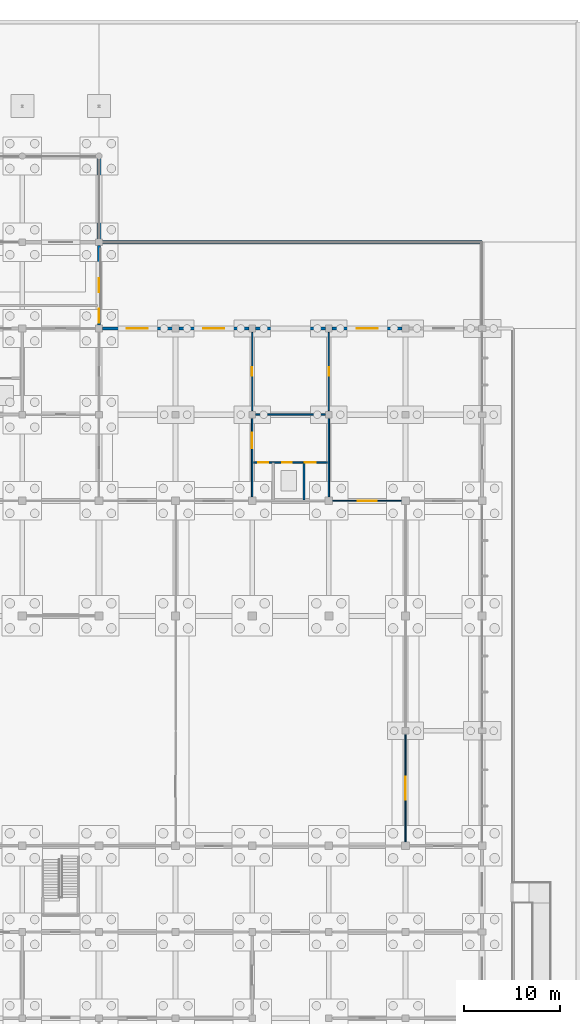
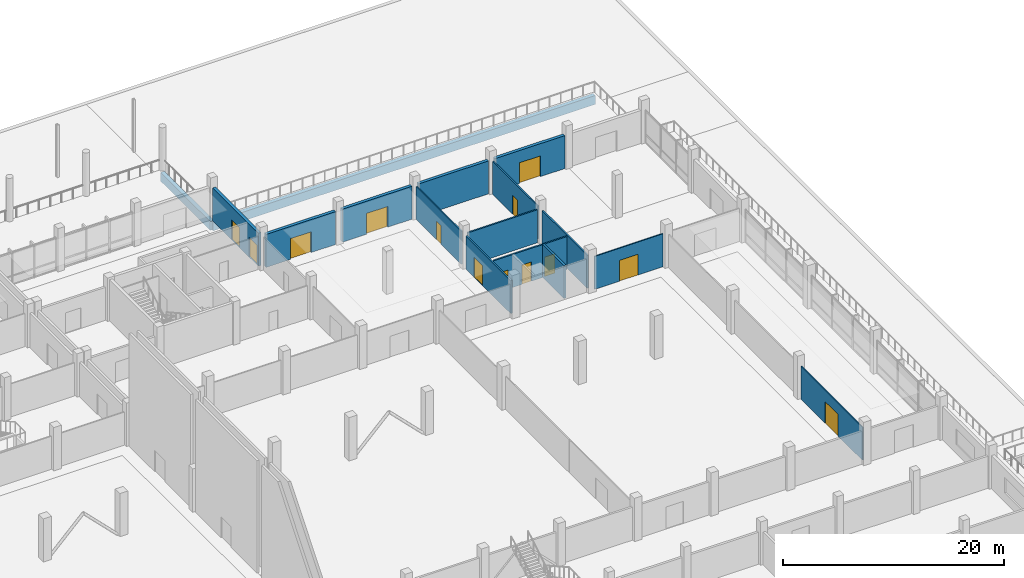
# One storey, part 56 of 72: 16 walls, 13 doors, 13 openings.
"""IFC4 building model written with IfcOpenShell, lengths in metres."""

from ifc_helpers import new_model, si_unit, direction, frame, frame_2d, origin, place, context, subcontext, project, spatial, rectangle, extrude, material, layer, layer_set, type_object, element, fill, save


model = new_model("IFC4")

# Units and contexts
model_context = context("Model", 3, precision=1e-05, world=origin(), true_north=direction((0.0, 1.0)))
body_context = subcontext(model_context, "Body", "Model", "MODEL_VIEW")
ifc_project = project(units=[si_unit("LENGTHUNIT", "METRE"), si_unit("AREAUNIT", "SQUARE_METRE"), si_unit("VOLUMEUNIT", "CUBIC_METRE"), si_unit("PLANEANGLEUNIT", "RADIAN"), si_unit("MASSUNIT", "GRAM", prefix="KILO"), si_unit("THERMODYNAMICTEMPERATUREUNIT", "KELVIN"), si_unit("POWERUNIT", "WATT")], contexts=[model_context])

# Site, building, storey
site_placement = place(None, origin())
site = spatial("IfcSite", under=ifc_project, at=site_placement, CompositionType="ELEMENT")
building_placement = place(site_placement, origin())
building = spatial("IfcBuilding", under=site, at=building_placement, Name="Kronsvod Quay Wholesale Market", CompositionType="ELEMENT")
storey_placement = place(building_placement, origin())
storey = spatial("IfcBuildingStorey", under=building, at=storey_placement, Name="L00", CompositionType="ELEMENT", Elevation=0.0)

# Wall, openings, doors
ifc_material_1 = material(Name="Precast concrete C40/50", Category="concrete")
ifc_layer_1 = layer(ifc_material_1, 0.300048828125)
ifc_layer_set_1 = layer_set([ifc_layer_1], Name="Precast concrete C40/50")
wall_type_1 = type_object("IfcWallType", Name="Wall_ExtPrecast300", PredefinedType="SOLIDWALL", material=ifc_layer_set_1)
wall_1_placement = place(storey_placement, frame((152.0, 108.3701171875, 0.0), z_axis=(0.0, 0.0, 1.0), x_axis=(0.0, 1.0, 0.0)))
wall_1 = element("IfcWall", 1, at=wall_1_placement, inside=storey, type_object=wall_type_1, Name="EW-Y-L00-0091", PredefinedType="SOLIDWALL", context=body_context, shape_type="SweptSolid", body=[
    extrude(rectangle(XDim=8.284912109375, YDim=0.300048828125, at=frame_2d((4.142578125, 0.0))), origin(), (0.0, 0.0, 1.0), 3.64990234375),
])
opening_1_placement = place(wall_1_placement, frame((3.4169921875, 0.0, 0.0)))
opening_1 = element("IfcOpeningElement", 2, at=opening_1_placement, cuts=wall_1, Name="Opening ED-048", PredefinedType="OPENING", context=body_context, shape_type="SweptSolid", body=[
    extrude(rectangle(XDim=1.449951171875, YDim=2.199951171875, at=frame_2d((0.72509765625, 1.10009765625))), frame((0.0, 0.16015625, 0.0), z_axis=(0.0, -1.0, 0.0), x_axis=(1.0, 0.0, 0.0)), (0.0, 0.0, 1.0), 0.320068359375),
])
opening_2_placement = place(wall_1_placement, frame((0.235107421875, 0.0, 0.0)))
opening_2 = element("IfcOpeningElement", 3, at=opening_2_placement, cuts=wall_1, Name="Opening ED-064", PredefinedType="OPENING", context=body_context, shape_type="SweptSolid", body=[
    extrude(rectangle(XDim=1.449951171875, YDim=2.199951171875, at=frame_2d((0.72509765625, 1.10009765625))), frame((0.0, 0.16015625, 0.0), z_axis=(0.0, -1.0, 0.0), x_axis=(1.0, 0.0, 0.0)), (0.0, 0.0, 1.0), 0.320068359375),
])
ifc_material_2 = material(Name="Painted galvanized steel", Category="steel")
door_type_1 = type_object("IfcDoorType", Name="Door_ExitSingle145x220", OperationType="NOTDEFINED", PredefinedType="DOOR", material=ifc_material_2)
door_1_placement = place(opening_1_placement, frame((1.449951171875, 0.0, 0.0), z_axis=(0.0, 0.0, 1.0), x_axis=(-1.0, 0.0, 0.0)))
door_1 = element("IfcDoor", 4, at=door_1_placement, inside=storey, type_object=door_type_1, Name="Side Promenade Exit Door ED-048", OperationType="SINGLE_SWING_LEFT", OverallHeight=2.199951171875, OverallWidth=1.449951171875, PredefinedType="DOOR", context=body_context, shape_type="SweptSolid", body=[
    extrude(rectangle(XDim=1.449951171875, YDim=2.199951171875, at=frame_2d((0.72509765625, 1.10009765625))), frame((0.0, 0.02490234375, 0.0), z_axis=(0.0, -1.0, 0.0), x_axis=(1.0, 0.0, 0.0)), (0.0, 0.0, 1.0), 0.050048828125),
])
fill(opening_1, door_1)
door_2_placement = place(opening_2_placement, frame((1.449951171875, 0.0, 0.0), z_axis=(0.0, 0.0, 1.0), x_axis=(-1.0, 0.0, 0.0)))
door_2 = element("IfcDoor", 5, at=door_2_placement, inside=storey, type_object=door_type_1, Name="Side Promenade Exit Door ED-064", OperationType="SINGLE_SWING_LEFT", OverallHeight=2.199951171875, OverallWidth=1.449951171875, PredefinedType="DOOR", context=body_context, shape_type="SweptSolid", body=[
    extrude(rectangle(XDim=1.449951171875, YDim=2.199951171875, at=frame_2d((0.72509765625, 1.10009765625))), frame((0.0, 0.02490234375, 0.0), z_axis=(0.0, -1.0, 0.0), x_axis=(1.0, 0.0, 0.0)), (0.0, 0.0, 1.0), 0.050048828125),
])
fill(opening_2, door_2)

# Wall, opening, door
ifc_material_3 = material(Name="Precast concrete C40/50", Category="concrete")
ifc_layer_2 = layer(ifc_material_3, 0.320068359375)
ifc_layer_set_2 = layer_set([ifc_layer_2], Name="Precast concrete C40/50")
wall_type_2 = type_object("IfcWallType", Name="Wall_ExtPrecast320", PredefinedType="SOLIDWALL", material=ifc_layer_set_2)
wall_2_placement = place(storey_placement, frame((159.655029296875, 108.0, 0.0), z_axis=(0.0, 0.0, 1.0), x_axis=(-1.0, 0.0, 0.0)))
wall_2 = element("IfcWall", 6, at=wall_2_placement, inside=storey, type_object=wall_type_2, Name="EW-X-L00-0073", PredefinedType="SOLIDWALL", context=body_context, shape_type="SweptSolid", body=[
    extrude(rectangle(XDim=7.284912109375, YDim=0.320068359375, at=frame_2d((3.642578125, 0.0))), origin(), (0.0, 0.0, 1.0), 3.64990234375),
])
opening_3_placement = place(wall_2_placement, frame((2.5419921875, 0.0, 0.0)))
opening_3 = element("IfcOpeningElement", 7, at=opening_3_placement, cuts=wall_2, Name="Opening ED-040", PredefinedType="OPENING", context=body_context, shape_type="SweptSolid", body=[
    extrude(rectangle(XDim=2.199951171875, YDim=2.300048828125, at=frame_2d((1.10009765625, 1.14990234375))), frame((0.0, 0.169921875, 0.0), z_axis=(0.0, -1.0, 0.0), x_axis=(1.0, 0.0, 0.0)), (0.0, 0.0, 1.0), 0.340087890625),
])
ifc_material_4 = material(Name="Aluminium and safety glass", Category="aluminium")
door_type_2 = type_object("IfcDoorType", Name="Door_ExitDouble220x230", OperationType="DOUBLE_DOOR_SINGLE_SWING", PredefinedType="DOOR", material=ifc_material_4)
door_3_placement = place(opening_3_placement, frame((2.199951171875, 0.0, 0.0), z_axis=(0.0, 0.0, 1.0), x_axis=(-1.0, 0.0, 0.0)))
door_3 = element("IfcDoor", 8, at=door_3_placement, inside=storey, type_object=door_type_2, Name="Promenade Exit Door ED-040", OperationType="DOUBLE_DOOR_SINGLE_SWING", OverallHeight=2.300048828125, OverallWidth=2.199951171875, PredefinedType="DOOR", context=body_context, shape_type="SweptSolid", body=[
    extrude(rectangle(XDim=2.199951171875, YDim=2.300048828125, at=frame_2d((1.10009765625, 1.14990234375))), frame((0.0, 0.02490234375, 0.0), z_axis=(0.0, -1.0, 0.0), x_axis=(1.0, 0.0, 0.0)), (0.0, 0.0, 1.0), 0.050048828125),
])
fill(opening_3, door_3)

wall_3_placement = place(storey_placement, frame((167.655029296875, 108.0, 0.0), z_axis=(0.0, 0.0, 1.0), x_axis=(-1.0, 0.0, 0.0)))
wall_3 = element("IfcWall", 9, at=wall_3_placement, inside=storey, type_object=wall_type_2, Name="EW-X-L00-0074", PredefinedType="SOLIDWALL", context=body_context, shape_type="SweptSolid", body=[
    extrude(rectangle(XDim=7.31005859375, YDim=0.320068359375, at=frame_2d((3.655029296875, 0.0))), origin(), (0.0, 0.0, 1.0), 3.64990234375),
])
opening_4_placement = place(wall_3_placement, frame((2.554931640625, 0.0, 0.0)))
opening_4 = element("IfcOpeningElement", 10, at=opening_4_placement, cuts=wall_3, Name="Opening ED-041", PredefinedType="OPENING", context=body_context, shape_type="SweptSolid", body=[
    extrude(rectangle(XDim=2.199951171875, YDim=2.300048828125, at=frame_2d((1.10009765625, 1.14990234375))), frame((0.0, 0.169921875, 0.0), z_axis=(0.0, -1.0, 0.0), x_axis=(1.0, 0.0, 0.0)), (0.0, 0.0, 1.0), 0.340087890625),
])
door_4_placement = place(opening_4_placement, frame((2.199951171875, 0.0, 0.0), z_axis=(0.0, 0.0, 1.0), x_axis=(-1.0, 0.0, 0.0)))
door_4 = element("IfcDoor", 11, at=door_4_placement, inside=storey, type_object=door_type_2, Name="Promenade Exit Door ED-041", OperationType="DOUBLE_DOOR_SINGLE_SWING", OverallHeight=2.300048828125, OverallWidth=2.199951171875, PredefinedType="DOOR", context=body_context, shape_type="SweptSolid", body=[
    extrude(rectangle(XDim=2.199951171875, YDim=2.300048828125, at=frame_2d((1.10009765625, 1.14990234375))), frame((0.0, 0.02490234375, 0.0), z_axis=(0.0, -1.0, 0.0), x_axis=(1.0, 0.0, 0.0)), (0.0, 0.0, 1.0), 0.050048828125),
])
fill(opening_4, door_4)

# Wall
wall_4_placement = place(storey_placement, frame((175.655029296875, 108.0, 0.0), z_axis=(0.0, 0.0, 1.0), x_axis=(-1.0, 0.0, 0.0)))
element("IfcWall", 12, at=wall_4_placement, inside=storey, type_object=wall_type_2, Name="EW-X-L00-0075", PredefinedType="SOLIDWALL", context=body_context, shape_type="SweptSolid", body=[
    extrude(rectangle(XDim=7.31005859375, YDim=0.320068359375, at=frame_2d((3.655029296875, 0.0))), origin(), (0.0, 0.0, 1.0), 3.64990234375),
])

# Wall, opening, door
wall_5_placement = place(storey_placement, frame((183.655029296875, 108.0, 0.0), z_axis=(0.0, 0.0, 1.0), x_axis=(-1.0, 0.0, 0.0)))
wall_5 = element("IfcWall", 13, at=wall_5_placement, inside=storey, type_object=wall_type_2, Name="EW-X-L00-0076", PredefinedType="SOLIDWALL", context=body_context, shape_type="SweptSolid", body=[
    extrude(rectangle(XDim=7.31005859375, YDim=0.320068359375, at=frame_2d((3.655029296875, 0.0))), origin(), (0.0, 0.0, 1.0), 3.64990234375),
])
opening_5_placement = place(wall_5_placement, frame((2.554931640625, 0.0, 0.0)))
opening_5 = element("IfcOpeningElement", 14, at=opening_5_placement, cuts=wall_5, Name="Opening ED-042", PredefinedType="OPENING", context=body_context, shape_type="SweptSolid", body=[
    extrude(rectangle(XDim=2.199951171875, YDim=2.300048828125, at=frame_2d((1.10009765625, 1.14990234375))), frame((0.0, 0.169921875, 0.0), z_axis=(0.0, -1.0, 0.0), x_axis=(1.0, 0.0, 0.0)), (0.0, 0.0, 1.0), 0.340087890625),
])
door_5_placement = place(opening_5_placement, frame((2.199951171875, 0.0, 0.0), z_axis=(0.0, 0.0, 1.0), x_axis=(-1.0, 0.0, 0.0)))
door_5 = element("IfcDoor", 15, at=door_5_placement, inside=storey, type_object=door_type_2, Name="Promenade Exit Door ED-042", OperationType="DOUBLE_DOOR_SINGLE_SWING", OverallHeight=2.300048828125, OverallWidth=2.199951171875, PredefinedType="DOOR", context=body_context, shape_type="SweptSolid", body=[
    extrude(rectangle(XDim=2.199951171875, YDim=2.300048828125, at=frame_2d((1.10009765625, 1.14990234375))), frame((0.0, 0.02490234375, 0.0), z_axis=(0.0, -1.0, 0.0), x_axis=(1.0, 0.0, 0.0)), (0.0, 0.0, 1.0), 0.050048828125),
])
fill(opening_5, door_5)

# Wall
ifc_material_5 = material(Name="Concrete C35/45", Category="concrete")
ifc_layer_3 = layer(ifc_material_5, 0.219970703125)
ifc_layer_set_3 = layer_set([ifc_layer_3], Name="Concrete C35/45")
wall_type_3 = type_object("IfcWallType", Name="Wall_FireComp220", PredefinedType="SOLIDWALL", material=ifc_layer_set_3)
wall_6_placement = place(storey_placement, frame((173.39990234375, 90.080078125, 0.0), z_axis=(0.0, 0.0, 1.0), x_axis=(0.0, 1.0, 0.0)))
element("IfcWall", 16, at=wall_6_placement, inside=storey, type_object=wall_type_3, Name="LFX-L00-W2", PredefinedType="SOLIDWALL", context=body_context, shape_type="SweptSolid", body=[
    extrude(rectangle(XDim=3.919921875, YDim=0.219970703125, at=frame_2d((1.9599609375, 0.0))), origin(), (0.0, 0.0, 1.0), 3.64990234375),
])

# Wall, opening, door
ifc_material_6 = material(Name="Fire-rated corridor gypsum partition")
ifc_layer_4 = layer(ifc_material_6, 0.159912109375)
ifc_layer_set_4 = layer_set([ifc_layer_4], Name="Fire-rated corridor gypsum partition")
wall_type_4 = type_object("IfcWallType", Name="Wall_PartCorridor160", PredefinedType="PARTITIONING", material=ifc_layer_set_4)
wall_7_placement = place(storey_placement, frame((168.0, 90.419921875, 0.0), z_axis=(0.0, 0.0, 1.0), x_axis=(0.0, 1.0, 0.0)))
wall_7 = element("IfcWall", 17, at=wall_7_placement, inside=storey, type_object=wall_type_4, Name="LFX-L00-WW", PredefinedType="PARTITIONING", context=body_context, shape_type="SweptSolid", body=[
    extrude(rectangle(XDim=8.16015625, YDim=0.159912109375, at=frame_2d((4.080078125, 0.0))), origin(), (0.0, 0.0, 1.0), 3.64990234375),
])
opening_6_placement = place(wall_7_placement, frame((5.10009765625, 0.0, 0.0)))
opening_6 = element("IfcOpeningElement", 18, at=opening_6_placement, cuts=wall_7, Name="Opening D-0121", PredefinedType="OPENING", context=body_context, shape_type="SweptSolid", body=[
    extrude(rectangle(XDim=1.60009765625, YDim=2.199951171875, at=frame_2d((0.800048828125, 1.10009765625))), frame((0.0, 0.08984375, 0.0), z_axis=(0.0, -1.0, 0.0), x_axis=(1.0, 0.0, 0.0)), (0.0, 0.0, 1.0), 0.179931640625),
])
ifc_material_7 = material(Name="Painted galvanized fire steel", Category="steel")
door_type_3 = type_object("IfcDoorType", Name="Door_FireLobby160x220", OperationType="DOUBLE_DOOR_SINGLE_SWING", PredefinedType="DOOR", material=ifc_material_7)
door_6_placement = place(opening_6_placement, origin())
door_6 = element("IfcDoor", 19, at=door_6_placement, inside=storey, type_object=door_type_3, Name="Lift Lobby Door D-0121", OperationType="DOUBLE_DOOR_SINGLE_SWING", OverallHeight=2.199951171875, OverallWidth=1.60009765625, PredefinedType="DOOR", context=body_context, shape_type="SweptSolid", body=[
    extrude(rectangle(XDim=1.60009765625, YDim=2.199951171875, at=frame_2d((0.800048828125, 1.10009765625))), frame((0.0, 0.02490234375, 0.0), z_axis=(0.0, -1.0, 0.0), x_axis=(1.0, 0.0, 0.0)), (0.0, 0.0, 1.0), 0.050048828125),
])
fill(opening_6, door_6)

# Wall
wall_8_placement = place(storey_placement, frame((176.0, 90.419921875, 0.0), z_axis=(0.0, 0.0, 1.0), x_axis=(0.0, 1.0, 0.0)))
element("IfcWall", 20, at=wall_8_placement, inside=storey, type_object=wall_type_4, Name="LFX-L00-WE", PredefinedType="PARTITIONING", context=body_context, shape_type="SweptSolid", body=[
    extrude(rectangle(XDim=8.16015625, YDim=0.159912109375, at=frame_2d((4.080078125, 0.0))), origin(), (0.0, 0.0, 1.0), 3.64990234375),
])

# Wall, openings, doors
wall_9_placement = place(storey_placement, frame((168.159912109375, 94.0, 0.0), z_axis=(0.0, 0.0, 1.0), x_axis=(1.0, 0.0, 0.0)))
wall_9 = element("IfcWall", 21, at=wall_9_placement, inside=storey, type_object=wall_type_4, Name="LFX-L00-WF", PredefinedType="PARTITIONING", context=body_context, shape_type="SweptSolid", body=[
    extrude(rectangle(XDim=7.68017578125, YDim=0.159912109375, at=frame_2d((3.840087890625, 0.0))), origin(), (0.0, 0.0, 1.0), 3.64990234375),
])
opening_7_placement = place(wall_9_placement, frame((0.449951171875, 0.0, 0.0)))
opening_7 = element("IfcOpeningElement", 22, at=opening_7_placement, cuts=wall_9, Name="Opening D-0118", PredefinedType="OPENING", context=body_context, shape_type="SweptSolid", body=[
    extrude(rectangle(XDim=1.050048828125, YDim=2.10009765625, at=frame_2d((0.52490234375, 1.050048828125))), frame((0.0, 0.08984375, 0.0), z_axis=(0.0, -1.0, 0.0), x_axis=(1.0, 0.0, 0.0)), (0.0, 0.0, 1.0), 0.179931640625),
])
opening_8_placement = place(wall_9_placement, frame((2.949951171875, 0.0, 0.0)))
opening_8 = element("IfcOpeningElement", 23, at=opening_8_placement, cuts=wall_9, Name="Opening D-0119", PredefinedType="OPENING", context=body_context, shape_type="SweptSolid", body=[
    extrude(rectangle(XDim=1.0, YDim=2.14990234375, at=frame_2d((0.5, 1.074951171875))), frame((0.0, 0.08984375, 0.0), z_axis=(0.0, -1.0, 0.0), x_axis=(1.0, 0.0, 0.0)), (0.0, 0.0, 1.0), 0.179931640625),
])
opening_9_placement = place(wall_9_placement, frame((5.35009765625, 0.0, 0.0)))
opening_9 = element("IfcOpeningElement", 24, at=opening_9_placement, cuts=wall_9, Name="Opening D-0120", PredefinedType="OPENING", context=body_context, shape_type="SweptSolid", body=[
    extrude(rectangle(XDim=1.10009765625, YDim=2.14990234375, at=frame_2d((0.550048828125, 1.074951171875))), frame((0.0, 0.08984375, 0.0), z_axis=(0.0, -1.0, 0.0), x_axis=(1.0, 0.0, 0.0)), (0.0, 0.0, 1.0), 0.179931640625),
])
ifc_material_8 = material(Name="Accessible outward-swing laminate door", Category="wood")
door_type_4 = type_object("IfcDoorType", Name="Door_AccWC105x210", OperationType="NOTDEFINED", PredefinedType="DOOR", material=ifc_material_8)
door_7_placement = place(opening_7_placement, origin())
door_7 = element("IfcDoor", 25, at=door_7_placement, inside=storey, type_object=door_type_4, Name="Accessible WC Door D-0118", OperationType="SINGLE_SWING_LEFT", OverallHeight=2.10009765625, OverallWidth=1.050048828125, PredefinedType="DOOR", context=body_context, shape_type="SweptSolid", body=[
    extrude(rectangle(XDim=1.050048828125, YDim=2.10009765625, at=frame_2d((0.52490234375, 1.050048828125))), frame((0.0, 0.02490234375, 0.0), z_axis=(0.0, -1.0, 0.0), x_axis=(1.0, 0.0, 0.0)), (0.0, 0.0, 1.0), 0.050048828125),
])
fill(opening_7, door_7)
ifc_material_9 = material(Name="Brushed stainless steel", Category="steel")
door_type_5 = type_object("IfcDoorType", Name="Door_LiftLandingPax", OperationType="SLIDING_TO_LEFT", PredefinedType="DOOR", material=ifc_material_9)
door_8_placement = place(opening_8_placement, origin())
door_8 = element("IfcDoor", 26, at=door_8_placement, inside=storey, type_object=door_type_5, Name="Lift Landing Door LFT-P06 L00", OperationType="SLIDING_TO_LEFT", OverallHeight=2.14990234375, OverallWidth=1.0, PredefinedType="DOOR", context=body_context, shape_type="SweptSolid", body=[
    extrude(rectangle(XDim=1.0, YDim=2.14990234375, at=frame_2d((0.5, 1.074951171875))), frame((0.0, 0.02490234375, 0.0), z_axis=(0.0, -1.0, 0.0), x_axis=(1.0, 0.0, 0.0)), (0.0, 0.0, 1.0), 0.050048828125),
])
fill(opening_8, door_8)
ifc_material_10 = material(Name="Painted steel store door", Category="steel")
door_type_6 = type_object("IfcDoorType", Name="Door_Store110x215", OperationType="NOTDEFINED", PredefinedType="DOOR", material=ifc_material_10)
door_9_placement = place(opening_9_placement, origin())
door_9 = element("IfcDoor", 27, at=door_9_placement, inside=storey, type_object=door_type_6, Name="Cleaners' Store Door D-0120", OperationType="SINGLE_SWING_RIGHT", OverallHeight=2.14990234375, OverallWidth=1.10009765625, PredefinedType="DOOR", context=body_context, shape_type="SweptSolid", body=[
    extrude(rectangle(XDim=1.10009765625, YDim=2.14990234375, at=frame_2d((0.550048828125, 1.074951171875))), frame((0.0, 0.02490234375, 0.0), z_axis=(0.0, -1.0, 0.0), x_axis=(1.0, 0.0, 0.0)), (0.0, 0.0, 1.0), 0.050048828125),
])
fill(opening_9, door_9)

# Wall
wall_10_placement = place(storey_placement, frame((168.35009765625, 99.0, 0.0), z_axis=(0.0, 0.0, 1.0), x_axis=(1.0, 0.0, 0.0)))
element("IfcWall", 28, at=wall_10_placement, inside=storey, type_object=wall_type_4, Name="LFX-L00-WN", PredefinedType="PARTITIONING", context=body_context, shape_type="SweptSolid", body=[
    extrude(rectangle(XDim=7.2998046875, YDim=0.159912109375, at=frame_2d((3.64990234375, 0.0))), origin(), (0.0, 0.0, 1.0), 3.64990234375),
])

# Wall, opening, door
ifc_material_11 = material(Name="Framed acoustic glass hall partition", Category="glass")
ifc_layer_5 = layer(ifc_material_11, 0.114990234375)
ifc_layer_set_5 = layer_set([ifc_layer_5], Name="Framed acoustic glass hall partition")
wall_type_5 = type_object("IfcWallType", Name="Wall_PartGlazed115", PredefinedType="PARTITIONING", material=ifc_layer_set_5)
wall_11_placement = place(storey_placement, frame((184.0, 54.419921875, 0.0), z_axis=(0.0, 0.0, 1.0), x_axis=(0.0, 1.0, 0.0)))
wall_11 = element("IfcWall", 29, at=wall_11_placement, inside=storey, type_object=wall_type_5, Name="PW-L00-0117", PredefinedType="PARTITIONING", context=body_context, shape_type="SweptSolid", body=[
    extrude(rectangle(XDim=11.16015625, YDim=0.114990234375, at=frame_2d((5.580078125, 0.0))), origin(), (0.0, 0.0, 1.0), 3.64990234375),
])
opening_10_placement = place(wall_11_placement, frame((4.3798828125, 0.0, 0.0)))
opening_10 = element("IfcOpeningElement", 30, at=opening_10_placement, cuts=wall_11, Name="Opening D-0187", PredefinedType="OPENING", context=body_context, shape_type="SweptSolid", body=[
    extrude(rectangle(XDim=2.39990234375, YDim=2.39990234375, at=frame_2d((1.199951171875, 1.199951171875))), frame((0.0, 0.0673828125, 0.0), z_axis=(0.0, -1.0, 0.0), x_axis=(1.0, 0.0, 0.0)), (0.0, 0.0, 1.0), 0.135009765625),
])
ifc_material_12 = material(Name="Glazed aluminium hall portal", Category="aluminium")
door_type_7 = type_object("IfcDoorType", Name="Door_HallPortal240x240", OperationType="DOUBLE_DOOR_SINGLE_SWING", PredefinedType="DOOR", material=ifc_material_12)
door_10_placement = place(opening_10_placement, origin())
door_10 = element("IfcDoor", 31, at=door_10_placement, inside=storey, type_object=door_type_7, Name="Interior Door D-0187", OperationType="DOUBLE_DOOR_SINGLE_SWING", OverallHeight=2.39990234375, OverallWidth=2.39990234375, PredefinedType="DOOR", context=body_context, shape_type="SweptSolid", body=[
    extrude(rectangle(XDim=2.39990234375, YDim=2.39990234375, at=frame_2d((1.199951171875, 1.199951171875))), frame((0.0, 0.02490234375, 0.0), z_axis=(0.0, -1.0, 0.0), x_axis=(1.0, 0.0, 0.0)), (0.0, 0.0, 1.0), 0.050048828125),
])
fill(opening_10, door_10)

wall_12_placement = place(storey_placement, frame((176.419921875, 90.0, 0.0), z_axis=(0.0, 0.0, 1.0), x_axis=(1.0, 0.0, 0.0)))
wall_12 = element("IfcWall", 32, at=wall_12_placement, inside=storey, type_object=wall_type_5, Name="PW-L00-0121", PredefinedType="PARTITIONING", context=body_context, shape_type="SweptSolid", body=[
    extrude(rectangle(XDim=7.16015625, YDim=0.114990234375, at=frame_2d((3.580078125, 0.0))), origin(), (0.0, 0.0, 1.0), 3.64990234375),
])
opening_11_placement = place(wall_12_placement, frame((2.60498046875, 0.0, 0.0)))
opening_11 = element("IfcOpeningElement", 33, at=opening_11_placement, cuts=wall_12, Name="Opening D-0189", PredefinedType="OPENING", context=body_context, shape_type="SweptSolid", body=[
    extrude(rectangle(XDim=1.949951171875, YDim=2.300048828125, at=frame_2d((0.97509765625, 1.14990234375))), frame((0.0, 0.0673828125, 0.0), z_axis=(0.0, -1.0, 0.0), x_axis=(1.0, 0.0, 0.0)), (0.0, 0.0, 1.0), 0.135009765625),
])
ifc_material_13 = material(Name="Glazed aluminium hall portal", Category="aluminium")
door_type_8 = type_object("IfcDoorType", Name="Door_HallPortal195x230", OperationType="DOUBLE_DOOR_SINGLE_SWING", PredefinedType="DOOR", material=ifc_material_13)
door_11_placement = place(opening_11_placement, origin())
door_11 = element("IfcDoor", 34, at=door_11_placement, inside=storey, type_object=door_type_8, Name="Interior Door D-0189", OperationType="DOUBLE_DOOR_SINGLE_SWING", OverallHeight=2.300048828125, OverallWidth=1.949951171875, PredefinedType="DOOR", context=body_context, shape_type="SweptSolid", body=[
    extrude(rectangle(XDim=1.949951171875, YDim=2.300048828125, at=frame_2d((0.97509765625, 1.14990234375))), frame((0.0, 0.02490234375, 0.0), z_axis=(0.0, -1.0, 0.0), x_axis=(1.0, 0.0, 0.0)), (0.0, 0.0, 1.0), 0.050048828125),
])
fill(opening_11, door_11)

ifc_material_14 = material(Name="Moisture-resistant sanitary block partition", Category="masonry")
ifc_layer_6 = layer(ifc_material_14, 0.135009765625)
ifc_layer_set_6 = layer_set([ifc_layer_6], Name="Moisture-resistant sanitary block partition")
wall_type_6 = type_object("IfcWallType", Name="Wall_PartWet135", PredefinedType="PLUMBINGWALL", material=ifc_layer_set_6)
wall_13_placement = place(storey_placement, frame((168.0, 99.419921875, 0.0), z_axis=(0.0, 0.0, 1.0), x_axis=(0.0, 1.0, 0.0)))
wall_13 = element("IfcWall", 35, at=wall_13_placement, inside=storey, type_object=wall_type_6, Name="PW-L00-0123", PredefinedType="PLUMBINGWALL", context=body_context, shape_type="SweptSolid", body=[
    extrude(rectangle(XDim=8.16015625, YDim=0.135009765625, at=frame_2d((4.080078125, 0.0))), origin(), (0.0, 0.0, 1.0), 3.64990234375),
])
opening_12_placement = place(wall_13_placement, frame((3.6298828125, 0.0, 0.0)))
opening_12 = element("IfcOpeningElement", 36, at=opening_12_placement, cuts=wall_13, Name="Opening D-0191", PredefinedType="OPENING", context=body_context, shape_type="SweptSolid", body=[
    extrude(rectangle(XDim=0.89990234375, YDim=2.06005859375, at=frame_2d((0.449951171875, 1.030029296875))), frame((0.0, 0.07763671875, 0.0), z_axis=(0.0, -1.0, 0.0), x_axis=(1.0, 0.0, 0.0)), (0.0, 0.0, 1.0), 0.155029296875),
])
ifc_material_15 = material(Name="Moisture-resistant laminate door", Category="wood")
door_type_9 = type_object("IfcDoorType", Name="Door_WC90x206", OperationType="NOTDEFINED", PredefinedType="DOOR", material=ifc_material_15)
door_12_placement = place(opening_12_placement, origin())
door_12 = element("IfcDoor", 37, at=door_12_placement, inside=storey, type_object=door_type_9, Name="Interior Door D-0191", OperationType="SINGLE_SWING_RIGHT", OverallHeight=2.06005859375, OverallWidth=0.89990234375, PredefinedType="DOOR", context=body_context, shape_type="SweptSolid", body=[
    extrude(rectangle(XDim=0.89990234375, YDim=2.06005859375, at=frame_2d((0.449951171875, 1.030029296875))), frame((0.0, 0.02490234375, 0.0), z_axis=(0.0, -1.0, 0.0), x_axis=(1.0, 0.0, 0.0)), (0.0, 0.0, 1.0), 0.050048828125),
])
fill(opening_12, door_12)

wall_14_placement = place(storey_placement, frame((176.0, 99.419921875, 0.0), z_axis=(0.0, 0.0, 1.0), x_axis=(0.0, 1.0, 0.0)))
wall_14 = element("IfcWall", 38, at=wall_14_placement, inside=storey, type_object=wall_type_6, Name="PW-L00-0126", PredefinedType="PLUMBINGWALL", context=body_context, shape_type="SweptSolid", body=[
    extrude(rectangle(XDim=8.16015625, YDim=0.135009765625, at=frame_2d((4.080078125, 0.0))), origin(), (0.0, 0.0, 1.0), 3.64990234375),
])
opening_13_placement = place(wall_14_placement, frame((3.6298828125, 0.0, 0.0)))
opening_13 = element("IfcOpeningElement", 39, at=opening_13_placement, cuts=wall_14, Name="Opening D-0194", PredefinedType="OPENING", context=body_context, shape_type="SweptSolid", body=[
    extrude(rectangle(XDim=0.89990234375, YDim=2.06005859375, at=frame_2d((0.449951171875, 1.030029296875))), frame((0.0, 0.07763671875, 0.0), z_axis=(0.0, -1.0, 0.0), x_axis=(1.0, 0.0, 0.0)), (0.0, 0.0, 1.0), 0.155029296875),
])
door_13_placement = place(opening_13_placement, origin())
door_13 = element("IfcDoor", 40, at=door_13_placement, inside=storey, type_object=door_type_9, Name="Interior Door D-0194", OperationType="SINGLE_SWING_RIGHT", OverallHeight=2.06005859375, OverallWidth=0.89990234375, PredefinedType="DOOR", context=body_context, shape_type="SweptSolid", body=[
    extrude(rectangle(XDim=0.89990234375, YDim=2.06005859375, at=frame_2d((0.449951171875, 1.030029296875))), frame((0.0, 0.02490234375, 0.0), z_axis=(0.0, -1.0, 0.0), x_axis=(1.0, 0.0, 0.0)), (0.0, 0.0, 1.0), 0.050048828125),
])
fill(opening_13, door_13)

# Walls
ifc_material_16 = material(Name="Precast concrete C40/50", Category="concrete")
ifc_layer_7 = layer(ifc_material_16, 0.39990234375)
ifc_layer_set_7 = layer_set([ifc_layer_7], Name="Precast concrete C40/50")
wall_type_7 = type_object("IfcWallType", Name="Wall_PlinthSkirt400", PredefinedType="STANDARD", material=ifc_layer_set_7)
wall_15_placement = place(storey_placement, frame((152.0, 117.0, -1.25), z_axis=(0.0, 0.0, 1.0), x_axis=(0.0, 1.0, 0.0)))
element("IfcWall", 41, at=wall_15_placement, inside=storey, type_object=wall_type_7, Name="RW-ENE1", PredefinedType="STANDARD", context=body_context, shape_type="SweptSolid", body=[
    extrude(rectangle(XDim=9.0, YDim=0.39990234375, at=frame_2d((4.5, 0.0))), origin(), (0.0, 0.0, 1.0), 0.969970703125),
])
wall_16_placement = place(storey_placement, frame((152.0, 117.0, -1.25), z_axis=(0.0, 0.0, 1.0), x_axis=(1.0, 0.0, 0.0)))
element("IfcWall", 42, at=wall_16_placement, inside=storey, type_object=wall_type_7, Name="RW-ENE2", PredefinedType="STANDARD", context=body_context, shape_type="SweptSolid", body=[
    extrude(rectangle(XDim=40.0, YDim=0.39990234375, at=frame_2d((20.0, 0.0))), origin(), (0.0, 0.0, 1.0), 0.969970703125),
])

save(model, "model.ifc")
